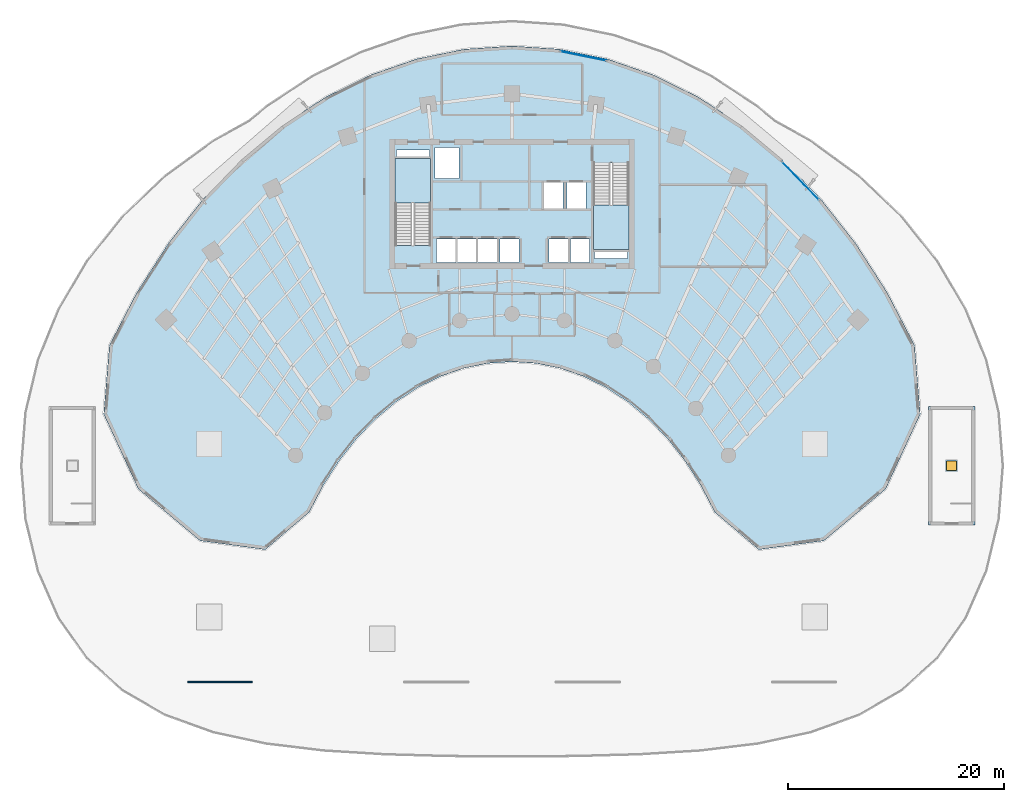
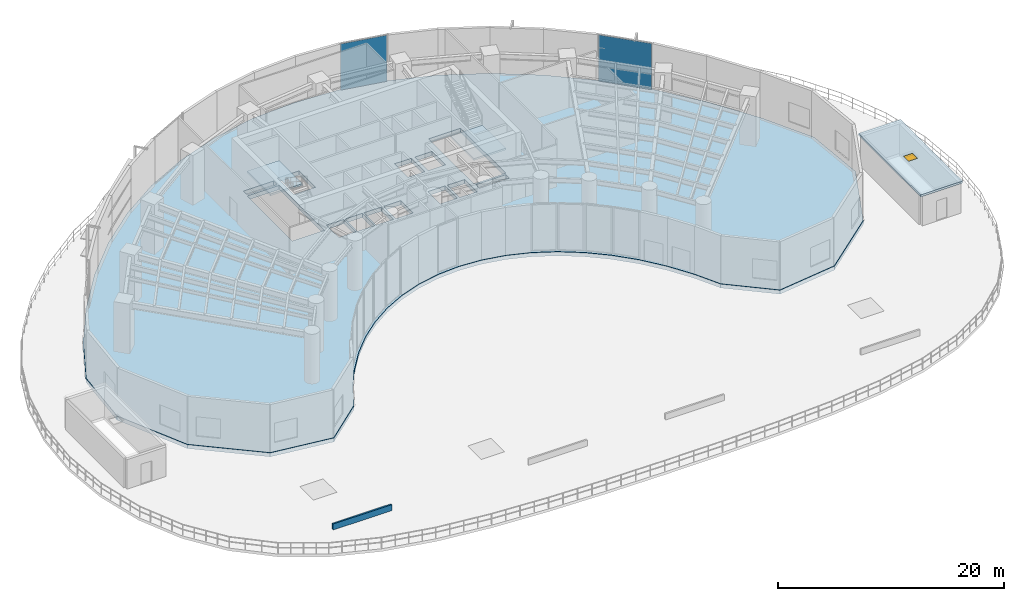
# One storey, part 8 of 17: 4 slabs, 2 plates, 1 door, 1 wall, 1 opening, 4 elements without a shape of their own.
"""IFC4 building model written with IfcOpenShell, lengths in metres."""

from ifc_helpers import new_model, si_unit, direction, frame, frame_2d, origin, origin_2d, place, context, subcontext, project, spatial, polyline, rectangle, outline, extrude, source, transform, mapped, material, layer, layer_set, type_object, type_shapes, element, fill, aggregate, save


model = new_model("IFC4")

# Units and contexts
model_context = context("Model", 3, precision=1e-05, world=origin(), true_north=direction((0.0, 1.0)))
body_context = subcontext(model_context, "Body", "Model", "MODEL_VIEW")
ifc_project = project(units=[si_unit("LENGTHUNIT", "METRE"), si_unit("AREAUNIT", "SQUARE_METRE"), si_unit("VOLUMEUNIT", "CUBIC_METRE"), si_unit("PLANEANGLEUNIT", "RADIAN"), si_unit("MASSUNIT", "GRAM", prefix="KILO")], contexts=[model_context])

# Site, building, storey
site_placement = place(None, origin())
site = spatial("IfcSite", under=ifc_project, at=site_placement, CompositionType="ELEMENT")
building_placement = place(site_placement, origin())
building = spatial("IfcBuilding", under=site, at=building_placement, Name="Breltana Convention Tower", CompositionType="ELEMENT")
storey_placement = place(building_placement, frame((0.0, 0.0, 30.0)))
storey = spatial("IfcBuildingStorey", under=building, at=storey_placement, Name="L05", CompositionType="ELEMENT", Elevation=30.0)

# Slab, opening, door
ifc_material_1 = material(Name="Concrete C40/50", Category="concrete")
ifc_layer_1 = layer(ifc_material_1, 0.2099609375, Name="Concrete C40/50")
ifc_layer_set_1 = layer_set([ifc_layer_1], Name="Concrete C40/50")
slab_type_1 = type_object("IfcSlabType", Name="SL-CANOPY-210", PredefinedType="ROOF", material=ifc_layer_set_1)
slab_1_placement = place(storey_placement, frame((0.0, 0.0, 3.18994140625)))
slab_1 = element("IfcSlab", 1, at=slab_1_placement, inside=storey, type_object=slab_type_1, Name="L05 ST4 stair headhouse roof slab", PredefinedType="ROOF", context=body_context, shape_type="SweptSolid", body=[
    extrude(outline(polyline([(86.5, 36.5), (90.800048828125, 36.5), (90.800048828125, 47.5), (86.5, 47.5), (86.5, 36.5)])), origin(), (0.0, 0.0, 1.0), 0.2099609375),
])
opening_placement = place(slab_1_placement, frame((88.64990234375, 42.0, -0.010009765625)))
opening = element("IfcOpeningElement", 2, at=opening_placement, cuts=slab_1, Name="Opening RH-02", PredefinedType="OPENING", context=body_context, shape_type="SweptSolid", body=[
    extrude(rectangle(XDim=0.89990234375, YDim=0.89990234375, at=origin_2d()), origin(), (0.0, 0.0, 1.0), 0.22998046875),
])
ifc_material_2 = material(Name="Steel Checkered Access Hatch", Category="steel")
door_type = type_object("IfcDoorType", Name="DR-HATCH-900", OperationType="SINGLE_SWING_LEFT", PredefinedType="TRAPDOOR", material=ifc_material_2)
door_placement = place(slab_1_placement, frame((88.64990234375, 42.0, 0.159912109375)))
door = element("IfcDoor", 3, at=door_placement, inside=storey, type_object=door_type, Name="L05 ST4 headhouse maintenance hatch", OperationType="SINGLE_SWING_LEFT", OverallHeight=0.89990234375, OverallWidth=0.89990234375, PredefinedType="TRAPDOOR", context=body_context, shape_type="SweptSolid", body=[
    extrude(rectangle(XDim=0.89990234375, YDim=0.89990234375, at=origin_2d()), origin(), (0.0, 0.0, 1.0), 0.050048828125),
])
fill(opening, door)

# Stair, slab
stair_type = type_object("IfcStairType", Name="ST-DOG-1560-R180", PredefinedType="HALF_TURN_STAIR", material=ifc_material_1)
stair_1_placement = place(storey_placement, origin())
stair_1 = element("IfcStair", 4, at=stair_1_placement, inside=storey, type_object=stair_type, Name="L05 Protected Core Exit Stair ST-1", PredefinedType="HALF_TURN_STAIR")
ifc_layer_2 = layer(ifc_material_1, 0.199951171875, Name="Concrete C40/50")
ifc_layer_set_2 = layer_set([ifc_layer_2], Name="Concrete C40/50")
slab_type_2 = type_object("IfcSlabType", Name="SL-STAIR-LANDING-200", PredefinedType="LANDING", material=ifc_layer_set_2)
slab_2_placement = place(storey_placement, frame((0.0, 0.0, 2.5)))
slab_2 = element("IfcSlab", 5, at=slab_2_placement, type_object=slab_type_2, Name="ST-1 landing 1", PredefinedType="LANDING", context=body_context, shape_type="SweptSolid", body=[
    extrude(outline(polyline([(40.469970703125, 66.280029296875), (40.469970703125, 70.39990234375), (37.199951171875, 70.39990234375), (37.199951171875, 66.280029296875), (40.469970703125, 66.280029296875)])), origin(), (0.0, 0.0, 1.0), 0.199951171875),
])
aggregate(stair_1, [slab_2])

stair_2_placement = place(storey_placement, origin())
stair_2 = element("IfcStair", 6, at=stair_2_placement, inside=storey, type_object=stair_type, Name="L05 Protected Core Exit Stair ST-2", PredefinedType="HALF_TURN_STAIR")
slab_3_placement = place(storey_placement, frame((0.0, 0.0, 2.5)))
slab_3 = element("IfcSlab", 7, at=slab_3_placement, type_object=slab_type_2, Name="ST-2 landing 1", PredefinedType="LANDING", context=body_context, shape_type="SweptSolid", body=[
    extrude(outline(polyline([(55.530029296875, 66.1201171875), (55.530029296875, 62.0), (58.800048828125, 62.0), (58.800048828125, 66.1201171875), (55.530029296875, 66.1201171875)])), origin(), (0.0, 0.0, 1.0), 0.199951171875),
])
aggregate(stair_2, [slab_3])

# Slab
ifc_material_3 = material(Name="Concrete C60/75", Category="concrete")
ifc_layer_3 = layer(ifc_material_3, 0.449951171875, Name="Concrete C60/75")
ifc_layer_set_3 = layer_set([ifc_layer_3], Name="Concrete C60/75")
slab_type_3 = type_object("IfcSlabType", Name="SL-TRANS-450", PredefinedType="FLOOR", material=ifc_layer_set_3)
slab_4_placement = place(storey_placement, frame((0.0, 0.0, -0.449951171875)))
element("IfcSlab", 8, at=slab_4_placement, inside=storey, type_object=slab_type_3, Name="L05 Suspended Structural Floor Slab", PredefinedType="FLOOR", context=body_context, shape_type="SweptSolid", body=[
    extrude(outline(polyline([(85.229248046875, 53.173095703125), (82.687744140625, 58.054931640625), (79.791015625, 62.567626953125), (76.569091796875, 66.664794921875), (73.05419921875, 70.304931640625), (69.283203125, 73.450439453125), (65.2939453125, 76.069091796875), (61.1279296875, 78.134033203125), (56.827392578125, 79.62451171875), (52.436279296875, 80.52490234375), (48.0, 80.825927734375), (43.563720703125, 80.52490234375), (39.172607421875, 79.62451171875), (34.8720703125, 78.134033203125), (30.7060546875, 76.069091796875), (26.716796875, 73.450439453125), (22.94580078125, 70.304931640625), (19.430908203125, 66.664794921875), (16.208984375, 62.567626953125), (13.312255859375, 58.054931640625), (10.770751953125, 53.173095703125), (10.234619140625, 46.75927734375), (13.433837890625, 39.8388671875), (19.14697265625, 35.055419921875), (25.191162109375, 34.235595703125), (29.258056640625, 37.693115234375), (30.53759765625, 40.150634765625), (31.995849609375, 42.42236328125), (33.617919921875, 44.485107421875), (35.38720703125, 46.3173828125), (37.28564453125, 47.90087890625), (39.2939453125, 49.21923828125), (41.39111328125, 50.2587890625), (43.55615234375, 51.009033203125), (45.7666015625, 51.46240234375), (48.0, 51.614013671875), (50.2333984375, 51.46240234375), (52.44384765625, 51.009033203125), (54.60888671875, 50.2587890625), (56.7060546875, 49.21923828125), (58.71435546875, 47.90087890625), (60.61279296875, 46.3173828125), (62.382080078125, 44.485107421875), (64.004150390625, 42.42236328125), (65.46240234375, 40.150634765625), (66.741943359375, 37.693115234375), (70.808837890625, 34.235595703125), (76.85302734375, 35.055419921875), (82.566162109375, 39.8388671875), (85.765380859375, 46.75927734375), (85.229248046875, 53.173095703125)]), holes=[polyline([(37.199951171875, 62.385009765625), (40.469970703125, 62.385009765625), (40.469970703125, 70.39990234375), (37.199951171875, 70.39990234375), (37.199951171875, 62.385009765625)]), polyline([(55.530029296875, 62.0), (58.800048828125, 62.0), (58.800048828125, 70.014892578125), (55.530029296875, 70.014892578125), (55.530029296875, 62.0)]), polyline([(41.0400390625, 60.800048828125), (42.800048828125, 60.800048828125), (42.800048828125, 62.97998046875), (41.0400390625, 62.97998046875), (41.0400390625, 60.800048828125)]), polyline([(42.93994140625, 60.800048828125), (44.699951171875, 60.800048828125), (44.699951171875, 62.97998046875), (42.93994140625, 62.97998046875), (42.93994140625, 60.800048828125)]), polyline([(44.8701171875, 60.800048828125), (46.6298828125, 60.800048828125), (46.6298828125, 62.97998046875), (44.8701171875, 62.97998046875), (44.8701171875, 60.800048828125)]), polyline([(46.8701171875, 60.800048828125), (48.6298828125, 60.800048828125), (48.6298828125, 62.97998046875), (46.8701171875, 62.97998046875), (46.8701171875, 60.800048828125)]), polyline([(51.39990234375, 60.800048828125), (53.159912109375, 60.800048828125), (53.159912109375, 62.97998046875), (51.39990234375, 62.97998046875), (51.39990234375, 60.800048828125)]), polyline([(53.39990234375, 60.800048828125), (55.159912109375, 60.800048828125), (55.159912109375, 62.97998046875), (53.39990234375, 62.97998046875), (53.39990234375, 60.800048828125)]), polyline([(50.969970703125, 65.800048828125), (52.72998046875, 65.800048828125), (52.72998046875, 68.179931640625), (50.969970703125, 68.179931640625), (50.969970703125, 65.800048828125)]), polyline([(53.070068359375, 65.800048828125), (54.830078125, 65.800048828125), (54.830078125, 68.179931640625), (53.070068359375, 68.179931640625), (53.070068359375, 65.800048828125)]), polyline([(40.8798828125, 68.550048828125), (43.1201171875, 68.550048828125), (43.1201171875, 71.449951171875), (40.8798828125, 71.449951171875), (40.8798828125, 68.550048828125)]), polyline([(37.300048828125, 70.60009765625), (40.3798828125, 70.60009765625), (40.3798828125, 71.219970703125), (37.300048828125, 71.219970703125), (37.300048828125, 70.60009765625)]), polyline([(55.6201171875, 61.179931640625), (58.699951171875, 61.179931640625), (58.699951171875, 61.800048828125), (55.6201171875, 61.800048828125), (55.6201171875, 61.179931640625)])]), origin(), (0.0, 0.0, 1.0), 0.449951171875),
])

# Curtain wall, plate
ifc_material_4 = material(Name="Aluminium Anodised Bronze Frame", Category="aluminium")
ifc_layer_4 = layer(ifc_material_4, 0.239990234375, Name="Aluminium Anodised Bronze Frame")
ifc_layer_set_4 = layer_set([ifc_layer_4], Name="Aluminium Anodised Bronze Frame")
curtain_wall_type = type_object("IfcCurtainWallType", Name="CW-SYS-6", PredefinedType="NOTDEFINED", material=ifc_layer_set_4)
curtain_wall_1_placement = place(storey_placement, origin())
curtain_wall_1 = element("IfcCurtainWall", 9, at=curtain_wall_1_placement, inside=storey, type_object=curtain_wall_type, Name="L05 outer double-skin inner glazing 3", PredefinedType="NOTDEFINED")
ifc_material_5 = material(Name="Glass Low-E Double Glazing", Category="glass")
ifc_layer_5 = layer(ifc_material_5, 0.035888671875, Name="Glass Low-E Double Glazing")
ifc_layer_set_5 = layer_set([ifc_layer_5], Name="Glass Low-E Double Glazing")
plate_type = type_object("IfcPlateType", Name="CWP-IGU-36", PredefinedType="CURTAIN_PANEL", material=ifc_layer_set_5)
shared_shape_1 = source(origin(), body_context, "Body", "SweptSolid", [
    extrude(rectangle(XDim=4.29833984375, YDim=0.035888671875, at=origin_2d()), origin(), (0.0, 0.0, 1.0), 5.0),
])
plate_1_placement = place(storey_placement, frame((54.595703125, 79.898193359375, 0.080078125), z_axis=(0.0, 0.0, 1.0), x_axis=(0.979614925743, -0.200884537139, 0.0)))
plate_1 = element("IfcPlate", 10, at=plate_1_placement, type_object=plate_type, Name="CW-06 panel 1.1", PredefinedType="CURTAIN_PANEL", context=body_context, shape_type="MappedRepresentation", body=[
    mapped(shared_shape_1, transform((0.0, 0.0, 0.0), scale=1.0)),
])
aggregate(curtain_wall_1, [plate_1])

curtain_wall_2_placement = place(storey_placement, origin())
curtain_wall_2 = element("IfcCurtainWall", 11, at=curtain_wall_2_placement, inside=storey, type_object=curtain_wall_type, Name="L05 outer double-skin inner glazing 4", PredefinedType="NOTDEFINED")
shared_shape_2 = source(origin(), body_context, "Body", "SweptSolid", [
    extrude(rectangle(XDim=4.881103515625, YDim=0.035888671875, at=origin_2d()), origin(), (0.0, 0.0, 1.0), 5.0),
])
plate_2_placement = place(storey_placement, frame((74.682373046875, 68.359619140625, 0.080078125), z_axis=(0.0, 0.0, 1.0), x_axis=(0.694610090106, -0.719386421003, 0.0)))
plate_2 = element("IfcPlate", 12, at=plate_2_placement, type_object=plate_type, Name="CW-06 panel 1.1", PredefinedType="CURTAIN_PANEL", context=body_context, shape_type="MappedRepresentation", body=[
    mapped(shared_shape_2, transform((0.0, 0.0, 0.0), scale=1.0)),
])
aggregate(curtain_wall_2, [plate_2])

# Wall
ifc_material_6 = material(Name="Limestone Warm Buff Planter Kerb", Category="masonry")
ifc_layer_6 = layer(ifc_material_6, 0.1650390625, Name="Limestone Warm Buff Planter Kerb")
ifc_layer_set_6 = layer_set([ifc_layer_6], Name="Limestone Warm Buff Planter Kerb")
wall_type = type_object("IfcWallType", Name="WL-PLANTER-200", PredefinedType="PARAPET", material=ifc_layer_set_6)
shared_shape_3 = source(origin(), body_context, "Body", "SweptSolid", [
    extrude(rectangle(XDim=6.0, YDim=0.1650390625, at=frame_2d((3.0, 0.0))), origin(), (0.0, 0.0, 1.0), 0.64990234375),
])
type_shapes(wall_type, [shared_shape_3])
wall_placement = place(storey_placement, frame((18.0, 22.0, 0.0), z_axis=(0.0, 0.0, 1.0), x_axis=(1.0, 0.0, 0.0)))
element("IfcWall", 13, at=wall_placement, inside=storey, type_object=wall_type, Name="L05 landscaped terrace stone planter 1", PredefinedType="PARAPET", context=body_context, shape_type="MappedRepresentation", body=[
    mapped(shared_shape_3, transform((0.0, 0.0, 0.0), scale=1.0)),
])

save(model, "model.ifc")
